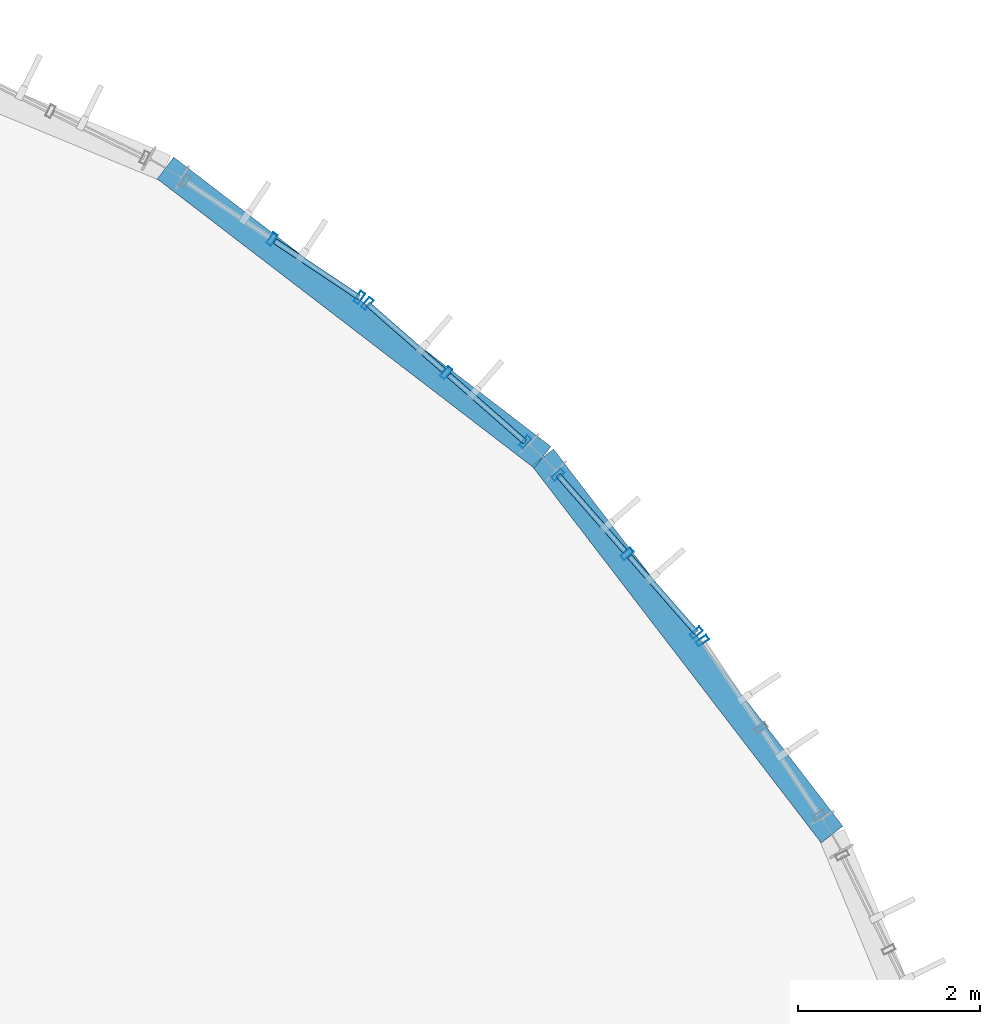
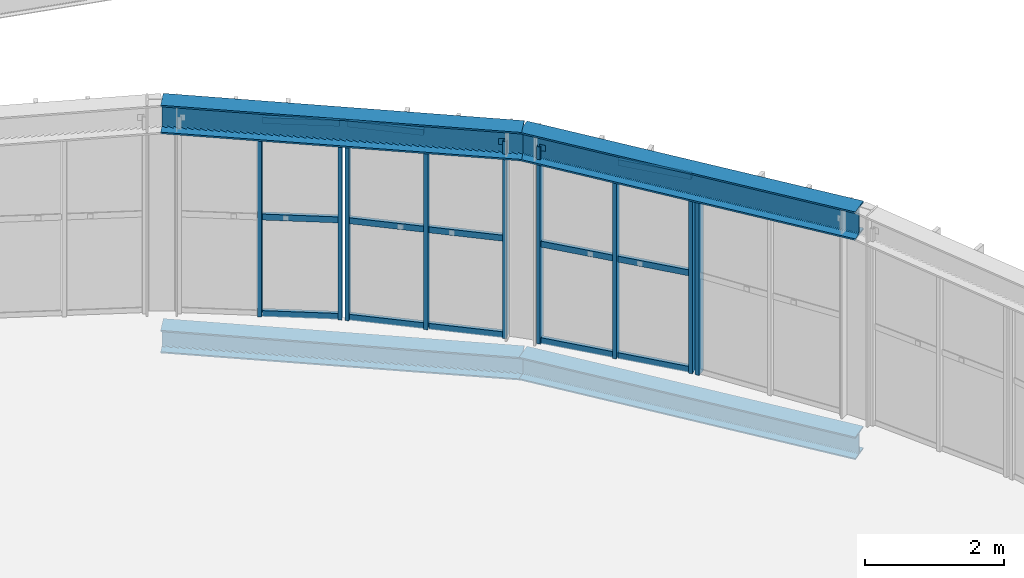
# One storey, part 75 of 152: 24 members, 4 beams, 4 elements without a shape of their own.
"""IFC4 building model written with IfcOpenShell, lengths in metres."""

import ifcopenshell
import ifcopenshell.guid

model = None  # the IFC model being written
_history = None  # IfcOwnerHistory: only IFC2X3 demands one
_inside = {}  # id of a spatial element -> (the spatial element, [elements in it])
_under = {}  # id of a project, library or spatial element -> (it, [spatial elements below it])
_declared = {}  # id of a project -> (the project, [libraries it declares])
_typed = {}  # id of a type object -> (the type object, [elements of that type])
_made_of = {}  # id of a material, layer set ... -> (it, [elements and type objects made of it])


def new_model(schema):
    """Start an empty IFC model of exactly this schema.

    Asked for "IFC4X3", IfcOpenShell would pick the latest addendum, in which some entities
    have other attributes; the version numbers below select the first issue.
    IFC2X3 requires an IfcOwnerHistory on every rooted entity: one is made here for all.
    """
    global model, _history
    if schema == "IFC4X3":
        model = ifcopenshell.file(schema_version=(4, 3, 0, 0))
    else:
        model = ifcopenshell.file(schema=schema)
    _inside.clear()
    _under.clear()
    _declared.clear()
    _typed.clear()
    _made_of.clear()
    _history = None
    if model.schema == "IFC2X3":
        org = make("IfcOrganization", Name="unknown")
        user = make(
            "IfcPersonAndOrganization",
            ThePerson=make("IfcPerson", FamilyName="unknown"),
            TheOrganization=org,
        )
        app = make(
            "IfcApplication",
            ApplicationDeveloper=org,
            Version="unknown",
            ApplicationFullName="unknown",
            ApplicationIdentifier="unknown",
        )
        _history = make(
            "IfcOwnerHistory",
            OwningUser=user,
            OwningApplication=app,
            ChangeAction="ADDED",
            CreationDate=0,
        )
    return model


def make(cls, **values):
    """One entity of the class cls with the attributes given. An attribute that is None is left unset."""
    return model.create_entity(
        cls, **{name: value for name, value in values.items() if value is not None}
    )


def rooted(cls, **values):
    """An entity with a GlobalId (a new one), such as an element, a storey or a relation."""
    return make(cls, GlobalId=ifcopenshell.guid.new(), OwnerHistory=_history, **values)


def si_unit(unit_type, name, prefix=None):
    """IfcSIUnit, for example si_unit("LENGTHUNIT", "METRE", prefix="MILLI")."""
    return make("IfcSIUnit", UnitType=unit_type, Prefix=prefix, Name=name)


def derived_unit(unit_type, elements):
    """IfcDerivedUnit: a product of units, each with its exponent."""
    return make(
        "IfcDerivedUnit",
        Elements=[
            make("IfcDerivedUnitElement", Unit=unit, Exponent=power)
            for unit, power in elements
        ],
        UnitType=unit_type,
    )


def assignment(units):
    """IfcUnitAssignment: the units of a project."""
    return None if units is None else make("IfcUnitAssignment", Units=units)


def point(xyz):
    """IfcCartesianPoint."""
    return None if xyz is None else make("IfcCartesianPoint", Coordinates=xyz)


def direction(xyz):
    """IfcDirection."""
    return None if xyz is None else make("IfcDirection", DirectionRatios=xyz)


def frame(location, z_axis=None, x_axis=None):
    """IfcAxis2Placement3D, a coordinate frame: its origin and axes. An axis left out is left unset."""
    return make(
        "IfcAxis2Placement3D",
        Location=point(location),
        Axis=direction(z_axis),
        RefDirection=direction(x_axis),
    )


def frame_2d(location, x_axis=None):
    """IfcAxis2Placement2D, a coordinate frame in the plane: its origin and x axis."""
    return make(
        "IfcAxis2Placement2D", Location=point(location), RefDirection=direction(x_axis)
    )


def origin():
    """The frame at (0, 0, 0) with its axes left unset."""
    return frame((0.0, 0.0, 0.0))


def origin_2d():
    """The frame at (0, 0) in the plane with its x axis left unset."""
    return frame_2d((0.0, 0.0))


def place(relative_to, where):
    """IfcLocalPlacement: puts the frame where relative to a parent placement (None: the world)."""
    return make(
        "IfcLocalPlacement", PlacementRelTo=relative_to, RelativePlacement=where
    )


def context(
    kind, dimensions, precision=None, world=None, true_north=None, identifier=None
):
    """IfcGeometricRepresentationContext, for example the 3D "Model" context."""
    return make(
        "IfcGeometricRepresentationContext",
        ContextIdentifier=identifier,
        ContextType=kind,
        CoordinateSpaceDimension=dimensions,
        Precision=precision,
        WorldCoordinateSystem=world,
        TrueNorth=true_north,
    )


def subcontext(parent, identifier, kind, view, scale=None):
    """IfcGeometricRepresentationSubContext, for example "Body" below "Model"."""
    return make(
        "IfcGeometricRepresentationSubContext",
        ContextIdentifier=identifier,
        ContextType=kind,
        ParentContext=parent,
        TargetScale=scale,
        TargetView=view,
    )


def project(units=None, contexts=None):
    """IfcProject with its units and contexts."""
    return rooted(
        "IfcProject",
        Name="project",
        RepresentationContexts=contexts,
        UnitsInContext=assignment(units),
    )


def spatial(cls, under=None, at=None, **own):
    """A site, building, storey or space (cls), placed at a placement, below another one or the project."""
    s = rooted(cls, ObjectPlacement=at, **own)
    if under is not None:
        _under.setdefault(under.id(), (under, []))[1].append(s)
    return s


def profile(cls, at=None, kind="AREA", **sizes):
    """A parametric profile (cls). Its sizes go by their IFC names, for example OverallWidth=200.0."""
    return make(cls, ProfileType=kind, Position=at, **sizes)


def hollow_rectangle(**sizes):
    """IfcRectangleHollowProfileDef."""
    return profile("IfcRectangleHollowProfileDef", **sizes)


def i_section(**sizes):
    """IfcIShapeProfileDef."""
    return profile("IfcIShapeProfileDef", **sizes)


def extrude(swept, where, along, depth):
    """IfcExtrudedAreaSolid: the profile swept, set in the frame where, extruded along a direction by depth."""
    return make(
        "IfcExtrudedAreaSolid",
        SweptArea=swept,
        Position=where,
        ExtrudedDirection=direction(along),
        Depth=depth,
    )


def shape(context_of_items, identifier, shape_type, items):
    """IfcShapeRepresentation: the items that make up one representation, for example the "Body"."""
    return make(
        "IfcShapeRepresentation",
        ContextOfItems=context_of_items,
        RepresentationIdentifier=identifier,
        RepresentationType=shape_type,
        Items=items,
    )


def material(Name=None, Category=None):
    """IfcMaterial."""
    return make("IfcMaterial", Name=Name, Category=Category)


def material_profile(
    of_material, cross_section, Name=None, Category=None, Priority=None
):
    """IfcMaterialProfile: a cross section and its material."""
    return make(
        "IfcMaterialProfile",
        Name=Name,
        Material=of_material,
        Profile=cross_section,
        Priority=Priority,
        Category=Category,
    )


def profile_set(profiles, Name=None, composite=None):
    """IfcMaterialProfileSet."""
    return make(
        "IfcMaterialProfileSet",
        Name=Name,
        MaterialProfiles=profiles,
        CompositeProfile=composite,
    )


def made_of(thing, what):
    """Note that an element or type object is made of a material, layer set ...; save() writes the relation."""
    if what is not None:
        _made_of.setdefault(what.id(), (what, []))[1].append(thing)
    return thing


def type_object(cls, material=None, **own):
    """A type object (cls), such as IfcWallType, which elements share."""
    return made_of(rooted(cls, **own), material)


def element(
    cls,
    number,
    at=None,
    inside=None,
    cuts=None,
    type_object=None,
    material=None,
    context=None,
    identifier="Body",
    shape_type=None,
    held_by="IfcProductDefinitionShape",
    body=None,
    shapes=None,
    **own,
):
    """One element of the class cls, such as IfcWall. Its Tag is "e" and its number.

    at: its placement. inside: the storey or other place that contains it. cuts: it is an
    opening in that element (IfcRelVoidsElement). A single representation is given by context,
    identifier, shape_type and body (its items); several are given by shapes. held_by: the class
    of the entity that holds the representations. save() writes the other relations.
    """
    e = rooted(cls, Tag="e%d" % number, ObjectPlacement=at, **own)
    if body is not None:
        shapes = [shape(context, identifier, shape_type, body)]
    if shapes is not None:
        e.Representation = make(held_by, Representations=shapes)
    if inside is not None:
        _inside.setdefault(inside.id(), (inside, []))[1].append(e)
    if cuts is not None:
        rooted(
            "IfcRelVoidsElement", RelatingBuildingElement=cuts, RelatedOpeningElement=e
        )
    if type_object is not None:
        _typed.setdefault(type_object.id(), (type_object, []))[1].append(e)
    return made_of(e, material)


def aggregate(whole, parts):
    """IfcRelAggregates: a whole, such as a stair, and the parts it consists of."""
    return rooted("IfcRelAggregates", RelatingObject=whole, RelatedObjects=parts)


def save(model, path):
    """Write the relations noted so far, then the file.

    IfcRelAggregates (storeys below a building ...), IfcRelContainedInSpatialStructure (elements
    in a storey), IfcRelDefinesByType, IfcRelAssociatesMaterial and IfcRelDeclares: one each for
    every whole, place, type object, material and project.
    """
    for whole, parts in _under.values():
        aggregate(whole, parts)
    for where, things in _inside.values():
        rooted(
            "IfcRelContainedInSpatialStructure",
            RelatedElements=things,
            RelatingStructure=where,
        )
    for kind, things in _typed.values():
        rooted("IfcRelDefinesByType", RelatedObjects=things, RelatingType=kind)
    for what, things in _made_of.values():
        rooted("IfcRelAssociatesMaterial", RelatedObjects=things, RelatingMaterial=what)
    for by, libraries in _declared.values():
        rooted("IfcRelDeclares", RelatingContext=by, RelatedDefinitions=libraries)
    model.write(path)


model = new_model("IFC4")

# Units and contexts
model_context = context("Model", 3, precision=1e-05, world=origin(), true_north=direction((0.0, 1.0)))
body_context = subcontext(model_context, "Body", "Model", "MODEL_VIEW")
ifc_project = project(units=[si_unit("LENGTHUNIT", "METRE"), si_unit("AREAUNIT", "SQUARE_METRE"), si_unit("VOLUMEUNIT", "CUBIC_METRE"), si_unit("PLANEANGLEUNIT", "RADIAN"), si_unit("MASSUNIT", "GRAM", prefix="KILO"), si_unit("THERMODYNAMICTEMPERATUREUNIT", "KELVIN"), si_unit("TIMEUNIT", "SECOND"), derived_unit("THERMALTRANSMITTANCEUNIT", [(si_unit("MASSUNIT", "GRAM", prefix="KILO"), 1), (si_unit("THERMODYNAMICTEMPERATUREUNIT", "KELVIN"), -1), (si_unit("TIMEUNIT", "SECOND"), -3)])], contexts=[model_context])

# Site, building, storey
site_placement = place(None, origin())
site = spatial("IfcSite", under=ifc_project, at=site_placement, CompositionType="ELEMENT")
building_placement = place(site_placement, origin())
building = spatial("IfcBuilding", under=site, at=building_placement, Name="Cambertide Market Hall", CompositionType="ELEMENT")
storey_placement = place(building_placement, frame((0.0, 0.0, 5.39990234375)))
storey = spatial("IfcBuildingStorey", under=building, at=storey_placement, Name="L02", CompositionType="ELEMENT", Elevation=5.39990234375)

# Curtain wall, member
ifc_material_1 = material(Name="Marine Anodized Aluminium 6063-T6 AA25", Category="aluminium")
curtain_wall_type = type_object("IfcCurtainWallType", Name="Lantern Apse Chord Upper Curtain Wall", PredefinedType="USERDEFINED", material=ifc_material_1)
curtain_wall_1_placement = place(storey_placement, origin())
curtain_wall_1 = element("IfcCurtainWall", 1, at=curtain_wall_1_placement, inside=storey, type_object=curtain_wall_type, Name="Level 2 Curtain Wall CW-V1AE-L02-17", ObjectType="UNITIZED CURTAIN WALL", PredefinedType="USERDEFINED")
ifc_material_2 = material(Name="Champagne Marine Anodized Aluminium 6063-T6 AA25", Category="aluminium")
ifc_material_profile_1 = material_profile(ifc_material_2, hollow_rectangle(XDim=0.06005859375, YDim=0.139892578125, WallThickness=0.00341796875, at=origin_2d()), Name="ALU MULLION 60x140")
ifc_profile_set_1 = profile_set([ifc_material_profile_1], Name="Champagne Marine Anodized Aluminium 6063-T6 AA25")
member_type_1 = type_object("IfcMemberType", Name="Curtain Wall Mullion ALU MULLION 60x140", PredefinedType="MULLION", material=ifc_profile_set_1)
member_1_placement = place(storey_placement, frame((120.897705078125, 84.12939453125, 0.0), z_axis=(0.0, 0.0, 1.0), x_axis=(0.555570087582, -0.831469709481, 0.0)))
member_1 = element("IfcMember", 2, at=member_1_placement, type_object=member_type_1, Name="CW-V1AE-L02-17 Mullion 1", PredefinedType="MULLION", context=body_context, shape_type="SweptSolid", body=[
    extrude(hollow_rectangle(XDim=0.06005859375, YDim=0.139892578125, WallThickness=0.00341796875, at=origin_2d()), origin(), (0.0, 0.0, 1.0), 3.4501953125),
])
aggregate(curtain_wall_1, [member_1])

# Curtain wall, members
curtain_wall_2_placement = place(storey_placement, origin())
curtain_wall_2 = element("IfcCurtainWall", 3, at=curtain_wall_2_placement, inside=storey, type_object=curtain_wall_type, Name="Level 2 Curtain Wall CW-V1AE-L02-18", ObjectType="UNITIZED CURTAIN WALL", PredefinedType="USERDEFINED")
member_2_placement = place(storey_placement, frame((119.310302734375, 85.950439453125, 0.0), z_axis=(0.0, 0.0, 1.0), x_axis=(0.659345784014, -0.751839834741, 0.0)))
member_2 = element("IfcMember", 4, at=member_2_placement, type_object=member_type_1, Name="CW-V1AE-L02-18 Mullion 1", PredefinedType="MULLION", context=body_context, shape_type="SweptSolid", body=[
    extrude(hollow_rectangle(XDim=0.06005859375, YDim=0.139892578125, WallThickness=0.00341796875, at=origin_2d()), origin(), (0.0, 0.0, 1.0), 3.4501953125),
])
member_3_placement = place(storey_placement, frame((120.070556640625, 85.08349609375, 0.0), z_axis=(0.0, 0.0, 1.0), x_axis=(0.659345784014, -0.751839834741, 0.0)))
member_3 = element("IfcMember", 5, at=member_3_placement, type_object=member_type_1, Name="CW-V1AE-L02-18 Mullion 2", PredefinedType="MULLION", context=body_context, shape_type="SweptSolid", body=[
    extrude(hollow_rectangle(XDim=0.06005859375, YDim=0.139892578125, WallThickness=0.00341796875, at=origin_2d()), origin(), (0.0, 0.0, 1.0), 3.4501953125),
])
member_4_placement = place(storey_placement, frame((120.830810546875, 84.216552734375, 0.0), z_axis=(0.0, 0.0, 1.0), x_axis=(0.659345784014, -0.751839834741, 0.0)))
member_4 = element("IfcMember", 6, at=member_4_placement, type_object=member_type_1, Name="CW-V1AE-L02-18 Mullion 3", PredefinedType="MULLION", context=body_context, shape_type="SweptSolid", body=[
    extrude(hollow_rectangle(XDim=0.06005859375, YDim=0.139892578125, WallThickness=0.00341796875, at=origin_2d()), origin(), (0.0, 0.0, 1.0), 3.4501953125),
])

curtain_wall_3_placement = place(storey_placement, origin())
curtain_wall_3 = element("IfcCurtainWall", 7, at=curtain_wall_3_placement, inside=storey, type_object=curtain_wall_type, Name="Level 2 Curtain Wall CW-V1AE-L02-19", ObjectType="UNITIZED CURTAIN WALL", PredefinedType="USERDEFINED")
member_5_placement = place(storey_placement, frame((117.216552734375, 87.830810546875, 0.0), z_axis=(0.0, 0.0, 1.0), x_axis=(0.751839834741, -0.659345784014, 0.0)))
member_5 = element("IfcMember", 8, at=member_5_placement, type_object=member_type_1, Name="CW-V1AE-L02-19 Mullion 1", PredefinedType="MULLION", context=body_context, shape_type="SweptSolid", body=[
    extrude(hollow_rectangle(XDim=0.06005859375, YDim=0.139892578125, WallThickness=0.00341796875, at=origin_2d()), origin(), (0.0, 0.0, 1.0), 3.4501953125),
])
member_6_placement = place(storey_placement, frame((118.08349609375, 87.070556640625, 0.0), z_axis=(0.0, 0.0, 1.0), x_axis=(0.751839834741, -0.659345784014, 0.0)))
member_6 = element("IfcMember", 9, at=member_6_placement, type_object=member_type_1, Name="CW-V1AE-L02-19 Mullion 2", PredefinedType="MULLION", context=body_context, shape_type="SweptSolid", body=[
    extrude(hollow_rectangle(XDim=0.06005859375, YDim=0.139892578125, WallThickness=0.00341796875, at=origin_2d()), origin(), (0.0, 0.0, 1.0), 3.4501953125),
])
member_7_placement = place(storey_placement, frame((118.950439453125, 86.310302734375, 0.0), z_axis=(0.0, 0.0, 1.0), x_axis=(0.751839834741, -0.659345784014, 0.0)))
member_7 = element("IfcMember", 10, at=member_7_placement, type_object=member_type_1, Name="CW-V1AE-L02-19 Mullion 3", PredefinedType="MULLION", context=body_context, shape_type="SweptSolid", body=[
    extrude(hollow_rectangle(XDim=0.06005859375, YDim=0.139892578125, WallThickness=0.00341796875, at=origin_2d()), origin(), (0.0, 0.0, 1.0), 3.4501953125),
])

curtain_wall_4_placement = place(storey_placement, origin())
curtain_wall_4 = element("IfcCurtainWall", 11, at=curtain_wall_4_placement, inside=storey, type_object=curtain_wall_type, Name="Level 2 Curtain Wall CW-V1AE-L02-20", ObjectType="UNITIZED CURTAIN WALL", PredefinedType="USERDEFINED")
member_8_placement = place(storey_placement, frame((116.170654296875, 88.538330078125, 0.0), z_axis=(0.0, 0.0, 1.0), x_axis=(0.831469709481, -0.555570087582, 0.0)))
member_8 = element("IfcMember", 12, at=member_8_placement, type_object=member_type_1, Name="CW-V1AE-L02-20 Mullion 2", PredefinedType="MULLION", context=body_context, shape_type="SweptSolid", body=[
    extrude(hollow_rectangle(XDim=0.06005859375, YDim=0.139892578125, WallThickness=0.00341796875, at=origin_2d()), origin(), (0.0, 0.0, 1.0), 3.4501953125),
])
member_9_placement = place(storey_placement, frame((117.12939453125, 87.897705078125, 0.0), z_axis=(0.0, 0.0, 1.0), x_axis=(0.831469709481, -0.555570087582, 0.0)))
member_9 = element("IfcMember", 13, at=member_9_placement, type_object=member_type_1, Name="CW-V1AE-L02-20 Mullion 3", PredefinedType="MULLION", context=body_context, shape_type="SweptSolid", body=[
    extrude(hollow_rectangle(XDim=0.06005859375, YDim=0.139892578125, WallThickness=0.00341796875, at=origin_2d()), origin(), (0.0, 0.0, 1.0), 3.4501953125),
])

# Member
ifc_material_3 = material(Name="Champagne Marine Anodized Aluminium 6063-T6 AA25", Category="aluminium")
ifc_material_profile_2 = material_profile(ifc_material_3, hollow_rectangle(XDim=0.06005859375, YDim=0.10498046875, WallThickness=0.0029296875, at=origin_2d()), Name="ALU TRANSOM 60x105")
ifc_profile_set_2 = profile_set([ifc_material_profile_2], Name="Champagne Marine Anodized Aluminium 6063-T6 AA25")
member_type_2 = type_object("IfcMemberType", Name="Curtain Wall Transom ALU TRANSOM 60x105", PredefinedType="USERDEFINED", material=ifc_profile_set_2)
member_10_placement = place(storey_placement, frame((119.3134765625, 85.94677734375, 0.03515625), z_axis=(0.659330789082, -0.751852984677, 0.0), x_axis=(0.751852984677, 0.659330789082, 0.0)))
member_10 = element("IfcMember", 14, at=member_10_placement, type_object=member_type_2, Name="CW-V1AE-L02-18 Transom 1-1", ObjectType="TRANSOM", PredefinedType="USERDEFINED", context=body_context, shape_type="SweptSolid", body=[
    extrude(hollow_rectangle(XDim=0.06005859375, YDim=0.10498046875, WallThickness=0.0029296875, at=origin_2d()), origin(), (0.0, 0.0, 1.0), 1.108154296875),
])

member_11_placement = place(storey_placement, frame((120.096923828125, 85.053466796875, 0.03515625), z_axis=(0.659315460062, -0.751866427049, 0.0), x_axis=(0.751866427049, 0.659315460062, 0.0)))
member_11 = element("IfcMember", 15, at=member_11_placement, type_object=member_type_2, Name="CW-V1AE-L02-18 Transom 1-2", ObjectType="TRANSOM", PredefinedType="USERDEFINED", context=body_context, shape_type="SweptSolid", body=[
    extrude(hollow_rectangle(XDim=0.06005859375, YDim=0.10498046875, WallThickness=0.0029296875, at=origin_2d()), origin(), (0.0, 0.0, 1.0), 1.10791015625),
])

member_12_placement = place(storey_placement, frame((119.3134765625, 85.94677734375, 1.72509765625), z_axis=(0.659330789082, -0.751852984677, 0.0), x_axis=(0.751852984677, 0.659330789082, 0.0)))
member_12 = element("IfcMember", 16, at=member_12_placement, type_object=member_type_2, Name="CW-V1AE-L02-18 Transom 2-1", ObjectType="TRANSOM", PredefinedType="USERDEFINED", context=body_context, shape_type="SweptSolid", body=[
    extrude(hollow_rectangle(XDim=0.06005859375, YDim=0.10498046875, WallThickness=0.0029296875, at=origin_2d()), origin(), (0.0, 0.0, 1.0), 1.108154296875),
])

member_13_placement = place(storey_placement, frame((120.096923828125, 85.053466796875, 1.72509765625), z_axis=(0.659315460062, -0.751866427049, 0.0), x_axis=(0.751866427049, 0.659315460062, 0.0)))
member_13 = element("IfcMember", 17, at=member_13_placement, type_object=member_type_2, Name="CW-V1AE-L02-18 Transom 2-2", ObjectType="TRANSOM", PredefinedType="USERDEFINED", context=body_context, shape_type="SweptSolid", body=[
    extrude(hollow_rectangle(XDim=0.06005859375, YDim=0.10498046875, WallThickness=0.0029296875, at=origin_2d()), origin(), (0.0, 0.0, 1.0), 1.10791015625),
])

member_14_placement = place(storey_placement, frame((119.3134765625, 85.94677734375, 3.4150390625), z_axis=(0.659330789082, -0.751852984677, 0.0), x_axis=(0.751852984677, 0.659330789082, 0.0)))
member_14 = element("IfcMember", 18, at=member_14_placement, type_object=member_type_2, Name="CW-V1AE-L02-18 Transom 3-1", ObjectType="TRANSOM", PredefinedType="USERDEFINED", context=body_context, shape_type="SweptSolid", body=[
    extrude(hollow_rectangle(XDim=0.06005859375, YDim=0.10498046875, WallThickness=0.0029296875, at=origin_2d()), origin(), (0.0, 0.0, 1.0), 1.108154296875),
])

member_15_placement = place(storey_placement, frame((120.096923828125, 85.053466796875, 3.4150390625), z_axis=(0.659315460062, -0.751866427049, 0.0), x_axis=(0.751866427049, 0.659315460062, 0.0)))
member_15 = element("IfcMember", 19, at=member_15_placement, type_object=member_type_2, Name="CW-V1AE-L02-18 Transom 3-2", ObjectType="TRANSOM", PredefinedType="USERDEFINED", context=body_context, shape_type="SweptSolid", body=[
    extrude(hollow_rectangle(XDim=0.06005859375, YDim=0.10498046875, WallThickness=0.0029296875, at=origin_2d()), origin(), (0.0, 0.0, 1.0), 1.10791015625),
])

aggregate(curtain_wall_2, [member_2, member_3, member_4, member_10, member_11, member_12, member_13, member_14, member_15])

member_16_placement = place(storey_placement, frame((117.220458984375, 87.827392578125, 0.03515625), z_axis=(0.751866427049, -0.659315460062, 0.0), x_axis=(0.659315460062, 0.751866427049, 0.0)))
member_16 = element("IfcMember", 20, at=member_16_placement, type_object=member_type_2, Name="CW-V1AE-L02-19 Transom 1-1", ObjectType="TRANSOM", PredefinedType="USERDEFINED", context=body_context, shape_type="SweptSolid", body=[
    extrude(hollow_rectangle(XDim=0.06005859375, YDim=0.10498046875, WallThickness=0.0029296875, at=origin_2d()), origin(), (0.0, 0.0, 1.0), 1.10791015625),
])

member_17_placement = place(storey_placement, frame((118.113525390625, 87.044189453125, 0.03515625), z_axis=(0.751852984677, -0.659330789082, 0.0), x_axis=(0.659330789082, 0.751852984677, 0.0)))
member_17 = element("IfcMember", 21, at=member_17_placement, type_object=member_type_2, Name="CW-V1AE-L02-19 Transom 1-2", ObjectType="TRANSOM", PredefinedType="USERDEFINED", context=body_context, shape_type="SweptSolid", body=[
    extrude(hollow_rectangle(XDim=0.06005859375, YDim=0.10498046875, WallThickness=0.0029296875, at=origin_2d()), origin(), (0.0, 0.0, 1.0), 1.108154296875),
])

member_18_placement = place(storey_placement, frame((117.220458984375, 87.827392578125, 1.72509765625), z_axis=(0.751866427049, -0.659315460062, 0.0), x_axis=(0.659315460062, 0.751866427049, 0.0)))
member_18 = element("IfcMember", 22, at=member_18_placement, type_object=member_type_2, Name="CW-V1AE-L02-19 Transom 2-1", ObjectType="TRANSOM", PredefinedType="USERDEFINED", context=body_context, shape_type="SweptSolid", body=[
    extrude(hollow_rectangle(XDim=0.06005859375, YDim=0.10498046875, WallThickness=0.0029296875, at=origin_2d()), origin(), (0.0, 0.0, 1.0), 1.10791015625),
])

member_19_placement = place(storey_placement, frame((118.113525390625, 87.044189453125, 1.72509765625), z_axis=(0.751852984677, -0.659330789082, 0.0), x_axis=(0.659330789082, 0.751852984677, 0.0)))
member_19 = element("IfcMember", 23, at=member_19_placement, type_object=member_type_2, Name="CW-V1AE-L02-19 Transom 2-2", ObjectType="TRANSOM", PredefinedType="USERDEFINED", context=body_context, shape_type="SweptSolid", body=[
    extrude(hollow_rectangle(XDim=0.06005859375, YDim=0.10498046875, WallThickness=0.0029296875, at=origin_2d()), origin(), (0.0, 0.0, 1.0), 1.108154296875),
])

member_20_placement = place(storey_placement, frame((117.220458984375, 87.827392578125, 3.4150390625), z_axis=(0.751866427049, -0.659315460062, 0.0), x_axis=(0.659315460062, 0.751866427049, 0.0)))
member_20 = element("IfcMember", 24, at=member_20_placement, type_object=member_type_2, Name="CW-V1AE-L02-19 Transom 3-1", ObjectType="TRANSOM", PredefinedType="USERDEFINED", context=body_context, shape_type="SweptSolid", body=[
    extrude(hollow_rectangle(XDim=0.06005859375, YDim=0.10498046875, WallThickness=0.0029296875, at=origin_2d()), origin(), (0.0, 0.0, 1.0), 1.10791015625),
])

member_21_placement = place(storey_placement, frame((118.113525390625, 87.044189453125, 3.4150390625), z_axis=(0.751852984677, -0.659330789082, 0.0), x_axis=(0.659330789082, 0.751852984677, 0.0)))
member_21 = element("IfcMember", 25, at=member_21_placement, type_object=member_type_2, Name="CW-V1AE-L02-19 Transom 3-2", ObjectType="TRANSOM", PredefinedType="USERDEFINED", context=body_context, shape_type="SweptSolid", body=[
    extrude(hollow_rectangle(XDim=0.06005859375, YDim=0.10498046875, WallThickness=0.0029296875, at=origin_2d()), origin(), (0.0, 0.0, 1.0), 1.108154296875),
])

aggregate(curtain_wall_3, [member_5, member_6, member_7, member_16, member_17, member_18, member_19, member_20, member_21])

member_22_placement = place(storey_placement, frame((116.2041015625, 88.51611328125, 0.03515625), z_axis=(0.831371680054, -0.55571677103, 0.0), x_axis=(0.55571677103, 0.831371680054, 0.0)))
member_22 = element("IfcMember", 26, at=member_22_placement, type_object=member_type_2, Name="CW-V1AE-L02-20 Transom 1-2", ObjectType="TRANSOM", PredefinedType="USERDEFINED", context=body_context, shape_type="SweptSolid", body=[
    extrude(hollow_rectangle(XDim=0.06005859375, YDim=0.10498046875, WallThickness=0.0029296875, at=origin_2d()), origin(), (0.0, 0.0, 1.0), 1.10791015625),
])

member_23_placement = place(storey_placement, frame((116.2041015625, 88.51611328125, 1.72509765625), z_axis=(0.831371680054, -0.55571677103, 0.0), x_axis=(0.55571677103, 0.831371680054, 0.0)))
member_23 = element("IfcMember", 27, at=member_23_placement, type_object=member_type_2, Name="CW-V1AE-L02-20 Transom 2-2", ObjectType="TRANSOM", PredefinedType="USERDEFINED", context=body_context, shape_type="SweptSolid", body=[
    extrude(hollow_rectangle(XDim=0.06005859375, YDim=0.10498046875, WallThickness=0.0029296875, at=origin_2d()), origin(), (0.0, 0.0, 1.0), 1.10791015625),
])

member_24_placement = place(storey_placement, frame((116.2041015625, 88.51611328125, 3.4150390625), z_axis=(0.831371680054, -0.55571677103, 0.0), x_axis=(0.55571677103, 0.831371680054, 0.0)))
member_24 = element("IfcMember", 28, at=member_24_placement, type_object=member_type_2, Name="CW-V1AE-L02-20 Transom 3-2", ObjectType="TRANSOM", PredefinedType="USERDEFINED", context=body_context, shape_type="SweptSolid", body=[
    extrude(hollow_rectangle(XDim=0.06005859375, YDim=0.10498046875, WallThickness=0.0029296875, at=origin_2d()), origin(), (0.0, 0.0, 1.0), 1.10791015625),
])

aggregate(curtain_wall_4, [member_8, member_9, member_22, member_23, member_24])

# Beams
ifc_material_4 = material(Name="Steel S355", Category="steel")
ifc_material_profile_3 = material_profile(ifc_material_4, i_section(OverallWidth=0.300048828125, OverallDepth=0.5, WebThickness=0.014404296875, FlangeThickness=0.028076171875, FilletRadius=0.027099609375, at=origin_2d()), Name="HEB 500")
ifc_profile_set_3 = profile_set([ifc_material_profile_3], Name="Steel S355")
beam_type_1 = type_object("IfcBeamType", Name="Exterior Steel Girder HEB 500", PredefinedType="BEAM", material=ifc_profile_set_3)
for number, where, z_axis, x_axis, name in (
    (29, (122.320556640625, 82.0, 3.4501953125), (-0.608777037117, 0.793341363525, 0.0), (-0.793341363525, -0.608777037117, 0.0), "Level 2 Beam EAVE-V1AE-09"),
    (30, (119.14208984375, 86.14208984375, 3.4501953125), (-0.793341363525, 0.608777037117, 0.0), (-0.608777037117, -0.793341363525, 0.0), "Level 2 Beam EAVE-V1AE-10"),
):
    element("IfcBeam", number, at=place(storey_placement, frame(where, z_axis=z_axis, x_axis=x_axis)), inside=storey, type_object=beam_type_1, Name=name, PredefinedType="BEAM", context=body_context, shape_type="SweptSolid", body=[
        extrude(i_section(OverallWidth=0.300048828125, OverallDepth=0.5, WebThickness=0.014404296875, FlangeThickness=0.028076171875, FilletRadius=0.027099609375, at=origin_2d()), origin(), (0.0, 0.0, 1.0), 5.220947265625),
    ])
ifc_material_5 = material(Name="Steel S355", Category="steel")
ifc_material_profile_4 = material_profile(ifc_material_5, i_section(OverallWidth=0.300048828125, OverallDepth=0.39990234375, WebThickness=0.013427734375, FlangeThickness=0.02392578125, FilletRadius=0.027099609375, at=origin_2d()), Name="HEB 400")
ifc_profile_set_4 = profile_set([ifc_material_profile_4], Name="Steel S355")
beam_type_2 = type_object("IfcBeamType", Name="Steel Girder HEB 400", PredefinedType="BEAM", material=ifc_profile_set_4)
for number, where, z_axis, x_axis, name in (
    (31, (122.320556640625, 82.0, -0.43994140625), (-0.608777037117, 0.793341363525, 0.0), (-0.793341363525, -0.608777037117, 0.0), "Level 2 Beam BM-V1AE-L02-9"),
    (32, (119.14208984375, 86.14208984375, -0.43994140625), (-0.793341363525, 0.608777037117, 0.0), (-0.608777037117, -0.793341363525, 0.0), "Level 2 Beam BM-V1AE-L02-10"),
):
    element("IfcBeam", number, at=place(storey_placement, frame(where, z_axis=z_axis, x_axis=x_axis)), inside=storey, type_object=beam_type_2, Name=name, PredefinedType="BEAM", context=body_context, shape_type="SweptSolid", body=[
        extrude(i_section(OverallWidth=0.300048828125, OverallDepth=0.39990234375, WebThickness=0.013427734375, FlangeThickness=0.02392578125, FilletRadius=0.027099609375, at=origin_2d()), origin(), (0.0, 0.0, 1.0), 5.220947265625),
    ])

save(model, "model.ifc")
